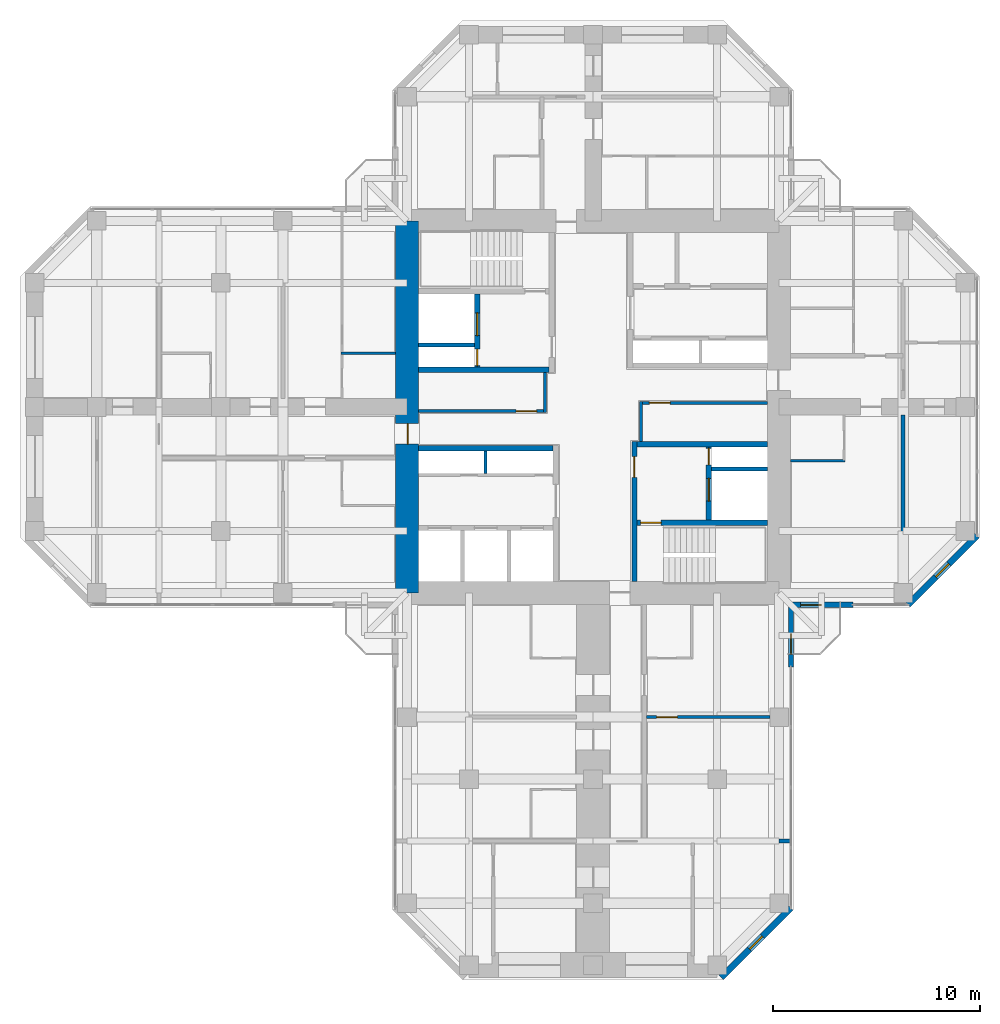
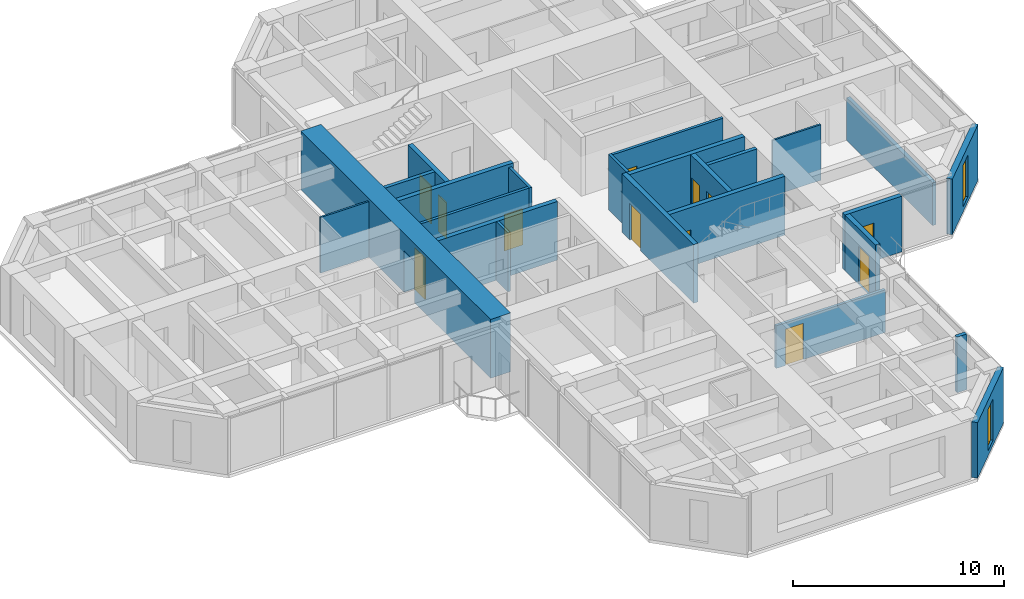
# One storey, part 10 of 14: 24 walls, 12 doors, 2 windows, 14 openings.
"""IFC4 building model written with IfcOpenShell, lengths in metres."""

import ifcopenshell
import ifcopenshell.guid

model = None  # the IFC model being written
_history = None  # IfcOwnerHistory: only IFC2X3 demands one
_inside = {}  # id of a spatial element -> (the spatial element, [elements in it])
_under = {}  # id of a project, library or spatial element -> (it, [spatial elements below it])
_declared = {}  # id of a project -> (the project, [libraries it declares])
_typed = {}  # id of a type object -> (the type object, [elements of that type])
_made_of = {}  # id of a material, layer set ... -> (it, [elements and type objects made of it])


def new_model(schema):
    """Start an empty IFC model of exactly this schema.

    Asked for "IFC4X3", IfcOpenShell would pick the latest addendum, in which some entities
    have other attributes; the version numbers below select the first issue.
    IFC2X3 requires an IfcOwnerHistory on every rooted entity: one is made here for all.
    """
    global model, _history
    if schema == "IFC4X3":
        model = ifcopenshell.file(schema_version=(4, 3, 0, 0))
    else:
        model = ifcopenshell.file(schema=schema)
    _inside.clear()
    _under.clear()
    _declared.clear()
    _typed.clear()
    _made_of.clear()
    _history = None
    if model.schema == "IFC2X3":
        org = make("IfcOrganization", Name="unknown")
        user = make(
            "IfcPersonAndOrganization",
            ThePerson=make("IfcPerson", FamilyName="unknown"),
            TheOrganization=org,
        )
        app = make(
            "IfcApplication",
            ApplicationDeveloper=org,
            Version="unknown",
            ApplicationFullName="unknown",
            ApplicationIdentifier="unknown",
        )
        _history = make(
            "IfcOwnerHistory",
            OwningUser=user,
            OwningApplication=app,
            ChangeAction="ADDED",
            CreationDate=0,
        )
    return model


def make(cls, **values):
    """One entity of the class cls with the attributes given. An attribute that is None is left unset."""
    return model.create_entity(
        cls, **{name: value for name, value in values.items() if value is not None}
    )


def rooted(cls, **values):
    """An entity with a GlobalId (a new one), such as an element, a storey or a relation."""
    return make(cls, GlobalId=ifcopenshell.guid.new(), OwnerHistory=_history, **values)


def si_unit(unit_type, name, prefix=None):
    """IfcSIUnit, for example si_unit("LENGTHUNIT", "METRE", prefix="MILLI")."""
    return make("IfcSIUnit", UnitType=unit_type, Prefix=prefix, Name=name)


def assignment(units):
    """IfcUnitAssignment: the units of a project."""
    return None if units is None else make("IfcUnitAssignment", Units=units)


def point(xyz):
    """IfcCartesianPoint."""
    return None if xyz is None else make("IfcCartesianPoint", Coordinates=xyz)


def direction(xyz):
    """IfcDirection."""
    return None if xyz is None else make("IfcDirection", DirectionRatios=xyz)


def frame(location, z_axis=None, x_axis=None):
    """IfcAxis2Placement3D, a coordinate frame: its origin and axes. An axis left out is left unset."""
    return make(
        "IfcAxis2Placement3D",
        Location=point(location),
        Axis=direction(z_axis),
        RefDirection=direction(x_axis),
    )


def frame_2d(location, x_axis=None):
    """IfcAxis2Placement2D, a coordinate frame in the plane: its origin and x axis."""
    return make(
        "IfcAxis2Placement2D", Location=point(location), RefDirection=direction(x_axis)
    )


def origin():
    """The frame at (0, 0, 0) with its axes left unset."""
    return frame((0.0, 0.0, 0.0))


def place(relative_to, where):
    """IfcLocalPlacement: puts the frame where relative to a parent placement (None: the world)."""
    return make(
        "IfcLocalPlacement", PlacementRelTo=relative_to, RelativePlacement=where
    )


def context(
    kind, dimensions, precision=None, world=None, true_north=None, identifier=None
):
    """IfcGeometricRepresentationContext, for example the 3D "Model" context."""
    return make(
        "IfcGeometricRepresentationContext",
        ContextIdentifier=identifier,
        ContextType=kind,
        CoordinateSpaceDimension=dimensions,
        Precision=precision,
        WorldCoordinateSystem=world,
        TrueNorth=true_north,
    )


def subcontext(parent, identifier, kind, view, scale=None):
    """IfcGeometricRepresentationSubContext, for example "Body" below "Model"."""
    return make(
        "IfcGeometricRepresentationSubContext",
        ContextIdentifier=identifier,
        ContextType=kind,
        ParentContext=parent,
        TargetScale=scale,
        TargetView=view,
    )


def project(units=None, contexts=None):
    """IfcProject with its units and contexts."""
    return rooted(
        "IfcProject",
        Name="project",
        RepresentationContexts=contexts,
        UnitsInContext=assignment(units),
    )


def spatial(cls, under=None, at=None, **own):
    """A site, building, storey or space (cls), placed at a placement, below another one or the project."""
    s = rooted(cls, ObjectPlacement=at, **own)
    if under is not None:
        _under.setdefault(under.id(), (under, []))[1].append(s)
    return s


def profile(cls, at=None, kind="AREA", **sizes):
    """A parametric profile (cls). Its sizes go by their IFC names, for example OverallWidth=200.0."""
    return make(cls, ProfileType=kind, Position=at, **sizes)


def rectangle(**sizes):
    """IfcRectangleProfileDef."""
    return profile("IfcRectangleProfileDef", **sizes)


def hollow_rectangle(**sizes):
    """IfcRectangleHollowProfileDef."""
    return profile("IfcRectangleHollowProfileDef", **sizes)


def extrude(swept, where, along, depth):
    """IfcExtrudedAreaSolid: the profile swept, set in the frame where, extruded along a direction by depth."""
    return make(
        "IfcExtrudedAreaSolid",
        SweptArea=swept,
        Position=where,
        ExtrudedDirection=direction(along),
        Depth=depth,
    )


def shape(context_of_items, identifier, shape_type, items):
    """IfcShapeRepresentation: the items that make up one representation, for example the "Body"."""
    return make(
        "IfcShapeRepresentation",
        ContextOfItems=context_of_items,
        RepresentationIdentifier=identifier,
        RepresentationType=shape_type,
        Items=items,
    )


def material(Name=None, Category=None):
    """IfcMaterial."""
    return make("IfcMaterial", Name=Name, Category=Category)


def layer(
    of_material, thickness, ventilated=None, Name=None, Category=None, Priority=None
):
    """IfcMaterialLayer: one layer of a wall or slab, of a material (None: an air gap)."""
    return make(
        "IfcMaterialLayer",
        Material=of_material,
        LayerThickness=thickness,
        IsVentilated=ventilated,
        Name=Name,
        Category=Category,
        Priority=Priority,
    )


def layer_set(layers, Name=None):
    """IfcMaterialLayerSet."""
    return make("IfcMaterialLayerSet", MaterialLayers=layers, LayerSetName=Name)


def constituent(of_material, Name=None, Category=None, fraction=None):
    """IfcMaterialConstituent: one of the materials an element consists of."""
    return make(
        "IfcMaterialConstituent",
        Name=Name,
        Material=of_material,
        Fraction=fraction,
        Category=Category,
    )


def constituent_set(constituents=None, Name=None):
    """IfcMaterialConstituentSet."""
    return make(
        "IfcMaterialConstituentSet", Name=Name, MaterialConstituents=constituents
    )


def made_of(thing, what):
    """Note that an element or type object is made of a material, layer set ...; save() writes the relation."""
    if what is not None:
        _made_of.setdefault(what.id(), (what, []))[1].append(thing)
    return thing


def type_object(cls, material=None, **own):
    """A type object (cls), such as IfcWallType, which elements share."""
    return made_of(rooted(cls, **own), material)


def element(
    cls,
    number,
    at=None,
    inside=None,
    cuts=None,
    type_object=None,
    material=None,
    context=None,
    identifier="Body",
    shape_type=None,
    held_by="IfcProductDefinitionShape",
    body=None,
    shapes=None,
    **own,
):
    """One element of the class cls, such as IfcWall. Its Tag is "e" and its number.

    at: its placement. inside: the storey or other place that contains it. cuts: it is an
    opening in that element (IfcRelVoidsElement). A single representation is given by context,
    identifier, shape_type and body (its items); several are given by shapes. held_by: the class
    of the entity that holds the representations. save() writes the other relations.
    """
    e = rooted(cls, Tag="e%d" % number, ObjectPlacement=at, **own)
    if body is not None:
        shapes = [shape(context, identifier, shape_type, body)]
    if shapes is not None:
        e.Representation = make(held_by, Representations=shapes)
    if inside is not None:
        _inside.setdefault(inside.id(), (inside, []))[1].append(e)
    if cuts is not None:
        rooted(
            "IfcRelVoidsElement", RelatingBuildingElement=cuts, RelatedOpeningElement=e
        )
    if type_object is not None:
        _typed.setdefault(type_object.id(), (type_object, []))[1].append(e)
    return made_of(e, material)


def fill(opening, filler):
    """IfcRelFillsElement: the door or window that sits in an opening."""
    return rooted(
        "IfcRelFillsElement",
        RelatingOpeningElement=opening,
        RelatedBuildingElement=filler,
    )


def aggregate(whole, parts):
    """IfcRelAggregates: a whole, such as a stair, and the parts it consists of."""
    return rooted("IfcRelAggregates", RelatingObject=whole, RelatedObjects=parts)


def save(model, path):
    """Write the relations noted so far, then the file.

    IfcRelAggregates (storeys below a building ...), IfcRelContainedInSpatialStructure (elements
    in a storey), IfcRelDefinesByType, IfcRelAssociatesMaterial and IfcRelDeclares: one each for
    every whole, place, type object, material and project.
    """
    for whole, parts in _under.values():
        aggregate(whole, parts)
    for where, things in _inside.values():
        rooted(
            "IfcRelContainedInSpatialStructure",
            RelatedElements=things,
            RelatingStructure=where,
        )
    for kind, things in _typed.values():
        rooted("IfcRelDefinesByType", RelatedObjects=things, RelatingType=kind)
    for what, things in _made_of.values():
        rooted("IfcRelAssociatesMaterial", RelatedObjects=things, RelatingMaterial=what)
    for by, libraries in _declared.values():
        rooted("IfcRelDeclares", RelatingContext=by, RelatedDefinitions=libraries)
    model.write(path)


model = new_model("IFC4")

# Units and contexts
model_context = context("Model", 3, precision=1e-05, world=origin(), true_north=direction((0.0, 1.0)))
body_context = subcontext(model_context, "Body", "Model", "MODEL_VIEW")
ifc_project = project(units=[si_unit("LENGTHUNIT", "METRE"), si_unit("AREAUNIT", "SQUARE_METRE"), si_unit("VOLUMEUNIT", "CUBIC_METRE"), si_unit("PLANEANGLEUNIT", "RADIAN"), si_unit("MASSUNIT", "GRAM", prefix="KILO")], contexts=[model_context])

# Site, building, storey
site_placement = place(None, origin())
site = spatial("IfcSite", under=ifc_project, at=site_placement, CompositionType="ELEMENT")
building_placement = place(site_placement, origin())
building = spatial("IfcBuilding", under=site, at=building_placement, Name="Torre Cruceta", CompositionType="ELEMENT")
storey_placement = place(building_placement, frame((0.0, 0.0, 203.5)))
storey = spatial("IfcBuildingStorey", under=building, at=storey_placement, Name="L51", CompositionType="ELEMENT", Elevation=203.5)

# Walls
ifc_material_1 = material(Name="Water-resistant plasterboard on steel studs", Category="steel")
ifc_layer_1 = layer(ifc_material_1, 0.10009765625)
ifc_layer_set_1 = layer_set([ifc_layer_1], Name="Water-resistant plasterboard on steel studs")
wall_type_1 = type_object("IfcWallType", Name="BATHROOM WALL 100", PredefinedType="PARTITIONING", material=ifc_layer_set_1)
for number, where, z_axis, x_axis, name in (
    (1, (9.550048828125, -2.60009765625, 0.0), (0.0, 0.0, 1.0), (1.0, 0.0, 0.0), "PT4 L51-E-U1RBB"),
    (2, (-9.550048828125, 2.60009765625, 0.0), (0.0, 0.0, 1.0), (-1.0, 0.0, 0.0), "PT4 L51-W-U1RBB"),
):
    element("IfcWall", number, at=place(storey_placement, frame(where, z_axis=z_axis, x_axis=x_axis)), inside=storey, type_object=wall_type_1, Name=name, PredefinedType="PARTITIONING", context=body_context, shape_type="SweptSolid", body=[
        extrude(rectangle(XDim=2.64990234375, YDim=0.10009765625, at=frame_2d((1.324951171875, 0.0))), origin(), (0.0, 0.0, 1.0), 3.219970703125),
    ])
ifc_material_2 = material(Name="Concrete G60 (fck 60 MPa)", Category="concrete")
ifc_layer_2 = layer(ifc_material_2, 0.25)
ifc_layer_set_2 = layer_set([ifc_layer_2], Name="Concrete G60 (fck 60 MPa)")
wall_type_2 = type_object("IfcWallType", Name="CORE INNER WALL 250 G60", PredefinedType="SHEAR", material=ifc_layer_set_2)
wall_1_placement = place(storey_placement, frame((-2.125, 1.800048828125, 0.0), z_axis=(0.0, 0.0, 1.0), x_axis=(-1.0, 0.0, 0.0)))
element("IfcWall", 3, at=wall_1_placement, inside=storey, type_object=wall_type_2, Name="CW4 L51 NW-CV", PredefinedType="SHEAR", context=body_context, shape_type="SweptSolid", body=[
    extrude(rectangle(XDim=6.324951171875, YDim=0.25, at=frame_2d((3.16259765625, 0.0))), origin(), (0.0, 0.0, 1.0), 3.39990234375),
])

# Wall, openings, doors
wall_2_placement = place(storey_placement, frame((-5.60009765625, 1.925048828125, 0.0), z_axis=(0.0, 0.0, 1.0), x_axis=(0.0, 1.0, 0.0)))
wall_2 = element("IfcWall", 4, at=wall_2_placement, inside=storey, type_object=wall_type_2, Name="CW4 L51 NW-FU", PredefinedType="SHEAR", context=body_context, shape_type="SweptSolid", body=[
    extrude(rectangle(XDim=3.550048828125, YDim=0.25, at=frame_2d((1.77490234375, 0.0))), origin(), (0.0, 0.0, 1.0), 3.39990234375),
])
opening_1_placement = place(wall_2_placement, frame((1.52490234375, 0.0, 0.0)))
opening_1 = element("IfcOpeningElement", 5, at=opening_1_placement, cuts=wall_2, Name="Opening LD1", PredefinedType="OPENING", context=body_context, shape_type="SweptSolid", body=[
    extrude(rectangle(XDim=1.10009765625, YDim=2.199951171875, at=frame_2d((0.550048828125, 1.10009765625))), frame((0.0, 0.135009765625, 0.0), z_axis=(0.0, -1.0, 0.0), x_axis=(1.0, 0.0, 0.0)), (0.0, 0.0, 1.0), 0.27001953125),
])
opening_2_placement = place(wall_2_placement, frame((0.074951171875, 0.0, 0.0)))
opening_2 = element("IfcOpeningElement", 6, at=opening_2_placement, cuts=wall_2, Name="Opening D5", PredefinedType="OPENING", context=body_context, shape_type="SweptSolid", body=[
    extrude(rectangle(XDim=0.800048828125, YDim=2.10009765625, at=frame_2d((0.39990234375, 1.050048828125))), frame((0.0, 0.135009765625, 0.0), z_axis=(0.0, -1.0, 0.0), x_axis=(1.0, 0.0, 0.0)), (0.0, 0.0, 1.0), 0.27001953125),
])
ifc_material_3 = material(Name="Stainless steel 1.4401", Category="steel")
door_type_1 = type_object("IfcDoorType", Name="LIFT LANDING DOOR 1100X2200", OperationType="DOUBLE_DOOR_SLIDING", PredefinedType="DOOR", material=ifc_material_3)
door_1_placement = place(opening_1_placement, origin())
door_1 = element("IfcDoor", 7, at=door_1_placement, inside=storey, type_object=door_type_1, Name="Lift landing door FL1", OperationType="DOUBLE_DOOR_SLIDING", OverallHeight=2.199951171875, OverallWidth=1.10009765625, PredefinedType="DOOR", context=body_context, shape_type="SweptSolid", body=[
    extrude(rectangle(XDim=1.10009765625, YDim=2.199951171875, at=frame_2d((0.550048828125, 1.10009765625))), frame((0.0, 0.02490234375, 0.0), z_axis=(0.0, -1.0, 0.0), x_axis=(1.0, 0.0, 0.0)), (0.0, 0.0, 1.0), 0.050048828125),
])
fill(opening_1, door_1)
ifc_material_4 = material(Name="Steel DX51D", Category="steel")
ifc_constituent_1 = constituent(ifc_material_4, Name="Leaf and frame")
ifc_material_5 = material(Name="Polyester powder coating", Category="paint")
ifc_constituent_2 = constituent(ifc_material_5, Name="Finish")
ifc_constituent_set_1 = constituent_set(constituents=[ifc_constituent_1, ifc_constituent_2], Name="Steel fire door")
door_type_2 = type_object("IfcDoorType", Name="RISER ACCESS DOOR 800X2100", OperationType="SINGLE_SWING_LEFT", PredefinedType="DOOR", material=ifc_constituent_set_1)
door_2_placement = place(opening_2_placement, origin())
door_2 = element("IfcDoor", 8, at=door_2_placement, inside=storey, type_object=door_type_2, Name="D5 L51 NW-RISER", OperationType="SINGLE_SWING_LEFT", OverallHeight=2.10009765625, OverallWidth=0.800048828125, PredefinedType="DOOR", context=body_context, shape_type="SweptSolid", body=[
    extrude(rectangle(XDim=0.800048828125, YDim=2.10009765625, at=frame_2d((0.39990234375, 1.050048828125))), frame((0.0, 0.02490234375, 0.0), z_axis=(0.0, -1.0, 0.0), x_axis=(1.0, 0.0, 0.0)), (0.0, 0.0, 1.0), 0.050048828125),
])
fill(opening_2, door_2)

# Wall
wall_3_placement = place(storey_placement, frame((-1.925048828125, -2.0, 0.0), z_axis=(0.0, 0.0, 1.0), x_axis=(-1.0, 0.0, 0.0)))
element("IfcWall", 9, at=wall_3_placement, inside=storey, type_object=wall_type_2, Name="CW4 L51 SW-CV", PredefinedType="SHEAR", context=body_context, shape_type="SweptSolid", body=[
    extrude(rectangle(XDim=6.52490234375, YDim=0.25, at=frame_2d((3.262451171875, 0.0))), origin(), (0.0, 0.0, 1.0), 3.39990234375),
])

# Wall, opening, door
wall_4_placement = place(storey_placement, frame((2.0, -1.675048828125, 0.0), z_axis=(0.0, 0.0, 1.0), x_axis=(0.0, -1.0, 0.0)))
wall_4 = element("IfcWall", 10, at=wall_4_placement, inside=storey, type_object=wall_type_2, Name="CW4 L51 SE-CU", PredefinedType="SHEAR", context=body_context, shape_type="SweptSolid", body=[
    extrude(rectangle(XDim=6.77490234375, YDim=0.25, at=frame_2d((3.387451171875, 0.0))), origin(), (0.0, 0.0, 1.0), 3.39990234375),
])
opening_3_placement = place(wall_4_placement, frame((0.72509765625, 0.0, 0.0)))
opening_3 = element("IfcOpeningElement", 11, at=opening_3_placement, cuts=wall_4, Name="Opening D3", PredefinedType="OPENING", context=body_context, shape_type="SweptSolid", body=[
    extrude(rectangle(XDim=1.0, YDim=2.10009765625, at=frame_2d((0.5, 1.050048828125))), frame((0.0, 0.135009765625, 0.0), z_axis=(0.0, -1.0, 0.0), x_axis=(1.0, 0.0, 0.0)), (0.0, 0.0, 1.0), 0.27001953125),
])
ifc_material_6 = material(Name="Steel DX51D", Category="steel")
ifc_constituent_3 = constituent(ifc_material_6, Name="Leaf and frame")
ifc_material_7 = material(Name="Polyester powder coating", Category="paint")
ifc_constituent_4 = constituent(ifc_material_7, Name="Finish")
ifc_constituent_set_2 = constituent_set(constituents=[ifc_constituent_3, ifc_constituent_4], Name="Steel fire door")
door_type_3 = type_object("IfcDoorType", Name="FIRE DOOR 1000X2100", OperationType="SINGLE_SWING_LEFT", PredefinedType="DOOR", material=ifc_constituent_set_2)
door_3_placement = place(opening_3_placement, origin())
door_3 = element("IfcDoor", 12, at=door_3_placement, inside=storey, type_object=door_type_3, Name="D3 L51 SE-LOBBY", OperationType="SINGLE_SWING_LEFT", OverallHeight=2.10009765625, OverallWidth=1.0, PredefinedType="DOOR", context=body_context, shape_type="SweptSolid", body=[
    extrude(rectangle(XDim=1.0, YDim=2.10009765625, at=frame_2d((0.5, 1.050048828125))), frame((0.0, 0.02490234375, 0.0), z_axis=(0.0, -1.0, 0.0), x_axis=(1.0, 0.0, 0.0)), (0.0, 0.0, 1.0), 0.050048828125),
])
fill(opening_3, door_3)

# Wall
wall_5_placement = place(storey_placement, frame((2.125, -1.800048828125, 0.0), z_axis=(0.0, 0.0, 1.0), x_axis=(1.0, 0.0, 0.0)))
element("IfcWall", 13, at=wall_5_placement, inside=storey, type_object=wall_type_2, Name="CW4 L51 SE-CV", PredefinedType="SHEAR", context=body_context, shape_type="SweptSolid", body=[
    extrude(rectangle(XDim=6.324951171875, YDim=0.25, at=frame_2d((3.16259765625, 0.0))), origin(), (0.0, 0.0, 1.0), 3.39990234375),
])

# Wall, opening, door
wall_6_placement = place(storey_placement, frame((2.125, -5.60009765625, 0.0), z_axis=(0.0, 0.0, 1.0), x_axis=(1.0, 0.0, 0.0)))
wall_6 = element("IfcWall", 14, at=wall_6_placement, inside=storey, type_object=wall_type_2, Name="CW4 L51 SE-SV", PredefinedType="SHEAR", context=body_context, shape_type="SweptSolid", body=[
    extrude(rectangle(XDim=6.324951171875, YDim=0.25, at=frame_2d((3.16259765625, 0.0))), origin(), (0.0, 0.0, 1.0), 3.39990234375),
])
opening_4_placement = place(wall_6_placement, frame((0.175048828125, 0.0, 0.0)))
opening_4 = element("IfcOpeningElement", 15, at=opening_4_placement, cuts=wall_6, Name="Opening D3", PredefinedType="OPENING", context=body_context, shape_type="SweptSolid", body=[
    extrude(rectangle(XDim=1.0, YDim=2.10009765625, at=frame_2d((0.5, 1.050048828125))), frame((0.0, 0.135009765625, 0.0), z_axis=(0.0, -1.0, 0.0), x_axis=(1.0, 0.0, 0.0)), (0.0, 0.0, 1.0), 0.27001953125),
])
door_4_placement = place(opening_4_placement, frame((1.0, 0.0, 0.0), z_axis=(0.0, 0.0, 1.0), x_axis=(-1.0, 0.0, 0.0)))
door_4 = element("IfcDoor", 16, at=door_4_placement, inside=storey, type_object=door_type_3, Name="D3 L51 SE-STAIR", OperationType="SINGLE_SWING_RIGHT", OverallHeight=2.10009765625, OverallWidth=1.0, PredefinedType="DOOR", context=body_context, shape_type="SweptSolid", body=[
    extrude(rectangle(XDim=1.0, YDim=2.10009765625, at=frame_2d((0.5, 1.050048828125))), frame((0.0, 0.025146484375, 0.0), z_axis=(0.0, -1.0, 0.0), x_axis=(1.0, 0.0, 0.0)), (0.0, 0.0, 1.0), 0.050048828125),
])
fill(opening_4, door_4)

# Wall, openings, doors
wall_7_placement = place(storey_placement, frame((5.60009765625, -1.925048828125, 0.0), z_axis=(0.0, 0.0, 1.0), x_axis=(0.0, -1.0, 0.0)))
wall_7 = element("IfcWall", 17, at=wall_7_placement, inside=storey, type_object=wall_type_2, Name="CW4 L51 SE-FU", PredefinedType="SHEAR", context=body_context, shape_type="SweptSolid", body=[
    extrude(rectangle(XDim=3.550048828125, YDim=0.25, at=frame_2d((1.77490234375, 0.0))), origin(), (0.0, 0.0, 1.0), 3.39990234375),
])
opening_5_placement = place(wall_7_placement, frame((1.52490234375, 0.0, 0.0)))
opening_5 = element("IfcOpeningElement", 18, at=opening_5_placement, cuts=wall_7, Name="Opening LD1", PredefinedType="OPENING", context=body_context, shape_type="SweptSolid", body=[
    extrude(rectangle(XDim=1.10009765625, YDim=2.199951171875, at=frame_2d((0.550048828125, 1.10009765625))), frame((0.0, 0.135009765625, 0.0), z_axis=(0.0, -1.0, 0.0), x_axis=(1.0, 0.0, 0.0)), (0.0, 0.0, 1.0), 0.27001953125),
])
opening_6_placement = place(wall_7_placement, frame((0.074951171875, 0.0, 0.0)))
opening_6 = element("IfcOpeningElement", 19, at=opening_6_placement, cuts=wall_7, Name="Opening D5", PredefinedType="OPENING", context=body_context, shape_type="SweptSolid", body=[
    extrude(rectangle(XDim=0.800048828125, YDim=2.10009765625, at=frame_2d((0.39990234375, 1.050048828125))), frame((0.0, 0.135009765625, 0.0), z_axis=(0.0, -1.0, 0.0), x_axis=(1.0, 0.0, 0.0)), (0.0, 0.0, 1.0), 0.27001953125),
])
door_5_placement = place(opening_5_placement, origin())
door_5 = element("IfcDoor", 20, at=door_5_placement, inside=storey, type_object=door_type_1, Name="Lift landing door FL2", OperationType="DOUBLE_DOOR_SLIDING", OverallHeight=2.199951171875, OverallWidth=1.10009765625, PredefinedType="DOOR", context=body_context, shape_type="SweptSolid", body=[
    extrude(rectangle(XDim=1.10009765625, YDim=2.199951171875, at=frame_2d((0.550048828125, 1.10009765625))), frame((0.0, 0.02490234375, 0.0), z_axis=(0.0, -1.0, 0.0), x_axis=(1.0, 0.0, 0.0)), (0.0, 0.0, 1.0), 0.050048828125),
])
fill(opening_5, door_5)
door_6_placement = place(opening_6_placement, origin())
door_6 = element("IfcDoor", 21, at=door_6_placement, inside=storey, type_object=door_type_2, Name="D5 L51 SE-RISER", OperationType="SINGLE_SWING_LEFT", OverallHeight=2.10009765625, OverallWidth=0.800048828125, PredefinedType="DOOR", context=body_context, shape_type="SweptSolid", body=[
    extrude(rectangle(XDim=0.800048828125, YDim=2.10009765625, at=frame_2d((0.39990234375, 1.050048828125))), frame((0.0, 0.02490234375, 0.0), z_axis=(0.0, -1.0, 0.0), x_axis=(1.0, 0.0, 0.0)), (0.0, 0.0, 1.0), 0.050048828125),
])
fill(opening_6, door_6)

# Wall, opening, door
ifc_material_8 = material(Name="Concrete G60 (fck 60 MPa)", Category="concrete")
ifc_layer_3 = layer(ifc_material_8, 1.10009765625)
ifc_layer_set_3 = layer_set([ifc_layer_3], Name="Concrete G60 (fck 60 MPa)")
wall_type_3 = type_object("IfcWallType", Name="CORE WALL 1100 G60", PredefinedType="SHEAR", material=ifc_layer_set_3)
wall_8_placement = place(storey_placement, frame((-9.0, 9.0, 0.0), z_axis=(0.0, 0.0, 1.0), x_axis=(0.0, -1.0, 0.0)))
wall_8 = element("IfcWall", 22, at=wall_8_placement, inside=storey, type_object=wall_type_3, Name="CW2 L51 CW-W", PredefinedType="SHEAR", context=body_context, shape_type="SweptSolid", body=[
    extrude(rectangle(XDim=18.0, YDim=1.10009765625, at=frame_2d((9.0, 0.0))), origin(), (0.0, 0.0, 1.0), 3.39990234375),
])
opening_7_placement = place(wall_8_placement, frame((9.800048828125, 0.0, 0.0)))
opening_7 = element("IfcOpeningElement", 23, at=opening_7_placement, cuts=wall_8, Name="Opening D4", PredefinedType="OPENING", context=body_context, shape_type="SweptSolid", body=[
    extrude(rectangle(XDim=1.0, YDim=2.39990234375, at=frame_2d((0.5, 1.199951171875))), frame((0.0, 0.56005859375, 0.0), z_axis=(0.0, -1.0, 0.0), x_axis=(1.0, 0.0, 0.0)), (0.0, 0.0, 1.0), 1.1201171875),
])
ifc_material_9 = material(Name="Steel DX51D", Category="steel")
ifc_constituent_5 = constituent(ifc_material_9, Name="Leaf and frame")
ifc_material_10 = material(Name="Polyester powder coating", Category="paint")
ifc_constituent_6 = constituent(ifc_material_10, Name="Finish")
ifc_constituent_set_3 = constituent_set(constituents=[ifc_constituent_5, ifc_constituent_6], Name="Steel fire door")
door_type_4 = type_object("IfcDoorType", Name="CORE ARM DOOR 1000X2400", OperationType="SINGLE_SWING_RIGHT", PredefinedType="DOOR", material=ifc_constituent_set_3)
door_7_placement = place(opening_7_placement, origin())
door_7 = element("IfcDoor", 24, at=door_7_placement, inside=storey, type_object=door_type_4, Name="D4 L51 CW-W", OperationType="SINGLE_SWING_RIGHT", OverallHeight=2.39990234375, OverallWidth=1.0, PredefinedType="DOOR", context=body_context, shape_type="SweptSolid", body=[
    extrude(rectangle(XDim=1.0, YDim=2.39990234375, at=frame_2d((0.5, 1.199951171875))), frame((0.0, 0.05517578125, 0.0), z_axis=(0.0, -1.0, 0.0), x_axis=(1.0, 0.0, 0.0)), (0.0, 0.0, 1.0), 0.050048828125),
])
fill(opening_7, door_7)

# Wall, opening, window
ifc_material_11 = material(Name="Concrete G30 (fck 30 MPa)", Category="concrete")
ifc_layer_4 = layer(ifc_material_11, 0.300048828125)
ifc_layer_set_4 = layer_set([ifc_layer_4], Name="Concrete G30 (fck 30 MPa)")
wall_type_4 = type_object("IfcWallType", Name="EXPOSED CONCRETE FACADE WALL 300", PredefinedType="SOLIDWALL", material=ifc_layer_set_4)
wall_9_placement = place(storey_placement, frame((15.236083984375, -9.570068359375, 0.0), z_axis=(0.0, 0.0, 1.0), x_axis=(0.707106781187, 0.707106781187, 0.0)))
wall_9 = element("IfcWall", 25, at=wall_9_placement, inside=storey, type_object=wall_type_4, Name="EW1 facade wall L51 E chamfer 01", PredefinedType="SOLIDWALL", context=body_context, shape_type="SweptSolid", body=[
    extrude(rectangle(XDim=4.715087890625, YDim=0.300048828125, at=frame_2d((2.357421875, 0.0))), origin(), (0.0, 0.0, 1.0), 3.219970703125),
])
opening_8_placement = place(wall_9_placement, frame((1.907470703125, 0.0, 0.300048828125)))
opening_8 = element("IfcOpeningElement", 26, at=opening_8_placement, cuts=wall_9, Name="Opening WN5", PredefinedType="OPENING", context=body_context, shape_type="SweptSolid", body=[
    extrude(rectangle(XDim=0.89990234375, YDim=2.39990234375, at=frame_2d((0.449951171875, 1.199951171875))), frame((0.0, 0.159912109375, 0.0), z_axis=(0.0, -1.0, 0.0), x_axis=(1.0, 0.0, 0.0)), (0.0, 0.0, 1.0), 0.320068359375),
])
ifc_material_12 = material(Name="Aluminium window frame", Category="aluminium")
ifc_constituent_7 = constituent(ifc_material_12, Name="Frame")
ifc_material_13 = material(Name="Laminated insulating glass unit, low-iron clear", Category="glass")
ifc_constituent_8 = constituent(ifc_material_13, Name="Glazing")
ifc_constituent_set_4 = constituent_set(constituents=[ifc_constituent_7, ifc_constituent_8], Name="Aluminium window")
window_type = type_object("IfcWindowType", Name="CHAMFER SLOT WINDOW 900X2400", PartitioningType="SINGLE_PANEL", PredefinedType="WINDOW", material=ifc_constituent_set_4)
window_1_placement = place(opening_8_placement, origin())
window_1 = element("IfcWindow", 27, at=window_1_placement, inside=storey, type_object=window_type, Name="WN5 L51 E 1", OverallHeight=2.39990234375, OverallWidth=0.89990234375, PartitioningType="SINGLE_PANEL", PredefinedType="WINDOW", context=body_context, shape_type="SweptSolid", body=[
    extrude(hollow_rectangle(XDim=0.89990234375, YDim=2.39990234375, WallThickness=0.06005859375, at=frame_2d((0.449951171875, 1.199951171875))), frame((0.0, 0.030029296875, 0.0), z_axis=(0.0, -1.0, 0.0), x_axis=(1.0, 0.0, 0.0)), (0.0, 0.0, 1.0), 0.06005859375),
    extrude(rectangle(XDim=0.77880859375, YDim=2.27880859375, at=frame_2d((0.449951171875, 1.199951171875))), frame((0.0, 0.030029296875, 0.0), z_axis=(0.0, -1.0, 0.0), x_axis=(1.0, 0.0, 0.0)), (0.0, 0.0, 1.0), 0.06005859375),
])
fill(opening_8, window_1)

wall_10_placement = place(storey_placement, frame((6.2060546875, -27.60009765625, 0.0), z_axis=(0.0, 0.0, 1.0), x_axis=(0.707106781187, 0.707106781187, 0.0)))
wall_10 = element("IfcWall", 28, at=wall_10_placement, inside=storey, type_object=wall_type_4, Name="EW1 facade wall L51 S chamfer 18", PredefinedType="SOLIDWALL", context=body_context, shape_type="SweptSolid", body=[
    extrude(rectangle(XDim=4.75732421875, YDim=0.300048828125, at=frame_2d((2.378662109375, 0.0))), origin(), (0.0, 0.0, 1.0), 3.219970703125),
])
opening_9_placement = place(wall_10_placement, frame((1.9287109375, 0.0, 0.300048828125)))
opening_9 = element("IfcOpeningElement", 29, at=opening_9_placement, cuts=wall_10, Name="Opening WN5", PredefinedType="OPENING", context=body_context, shape_type="SweptSolid", body=[
    extrude(rectangle(XDim=0.89990234375, YDim=2.39990234375, at=frame_2d((0.449951171875, 1.199951171875))), frame((0.0, 0.159912109375, 0.0), z_axis=(0.0, -1.0, 0.0), x_axis=(1.0, 0.0, 0.0)), (0.0, 0.0, 1.0), 0.320068359375),
])
window_2_placement = place(opening_9_placement, origin())
window_2 = element("IfcWindow", 30, at=window_2_placement, inside=storey, type_object=window_type, Name="WN5 L51 S 1", OverallHeight=2.39990234375, OverallWidth=0.89990234375, PartitioningType="SINGLE_PANEL", PredefinedType="WINDOW", context=body_context, shape_type="SweptSolid", body=[
    extrude(hollow_rectangle(XDim=0.89990234375, YDim=2.39990234375, WallThickness=0.06005859375, at=frame_2d((0.449951171875, 1.199951171875))), frame((0.0, 0.030029296875, 0.0), z_axis=(0.0, -1.0, 0.0), x_axis=(1.0, 0.0, 0.0)), (0.0, 0.0, 1.0), 0.06005859375),
    extrude(rectangle(XDim=0.77880859375, YDim=2.27880859375, at=frame_2d((0.449951171875, 1.199951171875))), frame((0.0, 0.030029296875, 0.0), z_axis=(0.0, -1.0, 0.0), x_axis=(1.0, 0.0, 0.0)), (0.0, 0.0, 1.0), 0.06005859375),
])
fill(opening_9, window_2)

# Walls
ifc_material_14 = material(Name="Concrete G35 (fck 35 MPa)", Category="concrete")
ifc_layer_5 = layer(ifc_material_14, 0.199951171875)
ifc_layer_set_5 = layer_set([ifc_layer_5], Name="Concrete G35 (fck 35 MPa)")
wall_type_5 = type_object("IfcWallType", Name="LIFT SHAFT WALL 200", PredefinedType="PARTITIONING", material=ifc_layer_set_5)
for number, where, z_axis, x_axis, name in (
    (31, (-5.72509765625, 3.0, 0.0), (0.0, 0.0, 1.0), (-1.0, 0.0, 0.0), "SW1 L51 NW-FR"),
    (32, (5.72509765625, -3.0, 0.0), (0.0, 0.0, 1.0), (1.0, 0.0, 0.0), "SW1 L51 SE-FR"),
):
    element("IfcWall", number, at=place(storey_placement, frame(where, z_axis=z_axis, x_axis=x_axis)), inside=storey, type_object=wall_type_5, Name=name, PredefinedType="PARTITIONING", context=body_context, shape_type="SweptSolid", body=[
        extrude(rectangle(XDim=2.724853515625, YDim=0.199951171875, at=frame_2d((1.3623046875, 0.0))), origin(), (0.0, 0.0, 1.0), 3.39990234375),
    ])

# Wall, opening, door
ifc_material_15 = material(Name="Plasterboard on steel studs", Category="steel")
ifc_layer_6 = layer(ifc_material_15, 0.14990234375)
ifc_layer_set_6 = layer_set([ifc_layer_6], Name="Plasterboard on steel studs")
wall_type_6 = type_object("IfcWallType", Name="PARTITION 150", PredefinedType="PARTITIONING", material=ifc_layer_set_6)
wall_11_placement = place(storey_placement, frame((2.324951171875, 0.199951171875, 0.0), z_axis=(0.0, 0.0, 1.0), x_axis=(1.0, 0.0, 0.0)))
wall_11 = element("IfcWall", 33, at=wall_11_placement, inside=storey, type_object=wall_type_6, Name="PT1 L51-CORE-LEGE-S-W1", PredefinedType="PARTITIONING", context=body_context, shape_type="SweptSolid", body=[
    extrude(rectangle(XDim=6.125, YDim=0.14990234375, at=frame_2d((3.0625, 0.0))), origin(), (0.0, 0.0, 1.0), 3.219970703125),
])
opening_10_placement = place(wall_11_placement, frame((0.39990234375, 0.0, 0.0)))
opening_10 = element("IfcOpeningElement", 34, at=opening_10_placement, cuts=wall_11, Name="Opening D3", PredefinedType="OPENING", context=body_context, shape_type="SweptSolid", body=[
    extrude(rectangle(XDim=1.0, YDim=2.10009765625, at=frame_2d((0.5, 1.050048828125))), frame((0.0, 0.0849609375, 0.0), z_axis=(0.0, -1.0, 0.0), x_axis=(1.0, 0.0, 0.0)), (0.0, 0.0, 1.0), 0.169921875),
])
door_8_placement = place(opening_10_placement, frame((1.0, 0.0, 0.0), z_axis=(0.0, 0.0, 1.0), x_axis=(-1.0, 0.0, 0.0)))
door_8 = element("IfcDoor", 35, at=door_8_placement, inside=storey, type_object=door_type_3, Name="D3 L51-CORE-LEGE-S-W1-D1", OperationType="SINGLE_SWING_RIGHT", OverallHeight=2.10009765625, OverallWidth=1.0, PredefinedType="DOOR", context=body_context, shape_type="SweptSolid", body=[
    extrude(rectangle(XDim=1.0, YDim=2.10009765625, at=frame_2d((0.5, 1.050048828125))), frame((0.0, 0.025146484375, 0.0), z_axis=(0.0, -1.0, 0.0), x_axis=(1.0, 0.0, 0.0)), (0.0, 0.0, 1.0), 0.050048828125),
])
fill(opening_10, door_8)

# Wall
wall_12_placement = place(storey_placement, frame((2.324951171875, -1.675048828125, 0.0), z_axis=(0.0, 0.0, 1.0), x_axis=(0.0, 1.0, 0.0)))
element("IfcWall", 36, at=wall_12_placement, inside=storey, type_object=wall_type_6, Name="PT1 L51-CORE-LEGE-S-W2", PredefinedType="PARTITIONING", context=body_context, shape_type="SweptSolid", body=[
    extrude(rectangle(XDim=1.949951171875, YDim=0.14990234375, at=frame_2d((0.97509765625, 0.0))), origin(), (0.0, 0.0, 1.0), 3.219970703125),
])

# Wall, opening, door
wall_13_placement = place(storey_placement, frame((-2.324951171875, -0.199951171875, 0.0), z_axis=(0.0, 0.0, 1.0), x_axis=(-1.0, 0.0, 0.0)))
wall_13 = element("IfcWall", 37, at=wall_13_placement, inside=storey, type_object=wall_type_6, Name="PT1 L51-CORE-LEGW-N-W1", PredefinedType="PARTITIONING", context=body_context, shape_type="SweptSolid", body=[
    extrude(rectangle(XDim=6.125, YDim=0.14990234375, at=frame_2d((3.0625, 0.0))), origin(), (0.0, 0.0, 1.0), 3.219970703125),
])
opening_11_placement = place(wall_13_placement, frame((0.39990234375, 0.0, 0.0)))
opening_11 = element("IfcOpeningElement", 38, at=opening_11_placement, cuts=wall_13, Name="Opening D3", PredefinedType="OPENING", context=body_context, shape_type="SweptSolid", body=[
    extrude(rectangle(XDim=1.0, YDim=2.10009765625, at=frame_2d((0.5, 1.050048828125))), frame((0.0, 0.0849609375, 0.0), z_axis=(0.0, -1.0, 0.0), x_axis=(1.0, 0.0, 0.0)), (0.0, 0.0, 1.0), 0.169921875),
])
door_9_placement = place(opening_11_placement, frame((1.0, 0.0, 0.0), z_axis=(0.0, 0.0, 1.0), x_axis=(-1.0, 0.0, 0.0)))
door_9 = element("IfcDoor", 39, at=door_9_placement, inside=storey, type_object=door_type_3, Name="D3 L51-CORE-LEGW-N-W1-D1", OperationType="SINGLE_SWING_RIGHT", OverallHeight=2.10009765625, OverallWidth=1.0, PredefinedType="DOOR", context=body_context, shape_type="SweptSolid", body=[
    extrude(rectangle(XDim=1.0, YDim=2.10009765625, at=frame_2d((0.5, 1.050048828125))), frame((0.0, 0.025146484375, 0.0), z_axis=(0.0, -1.0, 0.0), x_axis=(1.0, 0.0, 0.0)), (0.0, 0.0, 1.0), 0.050048828125),
])
fill(opening_11, door_9)

# Wall
wall_14_placement = place(storey_placement, frame((-2.324951171875, 1.675048828125, 0.0), z_axis=(0.0, 0.0, 1.0), x_axis=(0.0, -1.0, 0.0)))
element("IfcWall", 40, at=wall_14_placement, inside=storey, type_object=wall_type_6, Name="PT1 L51-CORE-LEGW-N-W2", PredefinedType="PARTITIONING", context=body_context, shape_type="SweptSolid", body=[
    extrude(rectangle(XDim=1.949951171875, YDim=0.14990234375, at=frame_2d((0.97509765625, 0.0))), origin(), (0.0, 0.0, 1.0), 3.219970703125),
])

# Wall, opening, door
wall_15_placement = place(storey_placement, frame((2.574951171875, -15.0, 0.0), z_axis=(0.0, 0.0, 1.0), x_axis=(1.0, 0.0, 0.0)))
wall_15 = element("IfcWall", 41, at=wall_15_placement, inside=storey, type_object=wall_type_6, Name="PT1 L51-S-P1L", PredefinedType="PARTITIONING", context=body_context, shape_type="SweptSolid", body=[
    extrude(rectangle(XDim=5.97509765625, YDim=0.14990234375, at=frame_2d((2.987548828125, 0.0))), origin(), (0.0, 0.0, 1.0), 2.469970703125),
])
opening_12_placement = place(wall_15_placement, frame((0.5, 0.0, 0.0)))
opening_12 = element("IfcOpeningElement", 42, at=opening_12_placement, cuts=wall_15, Name="Opening D3", PredefinedType="OPENING", context=body_context, shape_type="SweptSolid", body=[
    extrude(rectangle(XDim=1.0, YDim=2.10009765625, at=frame_2d((0.5, 1.050048828125))), frame((0.0, 0.0849609375, 0.0), z_axis=(0.0, -1.0, 0.0), x_axis=(1.0, 0.0, 0.0)), (0.0, 0.0, 1.0), 0.169921875),
])
door_10_placement = place(opening_12_placement, origin())
door_10 = element("IfcDoor", 43, at=door_10_placement, inside=storey, type_object=door_type_3, Name="D3 L51-S-P1L-D1", OperationType="SINGLE_SWING_LEFT", OverallHeight=2.10009765625, OverallWidth=1.0, PredefinedType="DOOR", context=body_context, shape_type="SweptSolid", body=[
    extrude(rectangle(XDim=1.0, YDim=2.10009765625, at=frame_2d((0.5, 1.050048828125))), frame((0.0, 0.02490234375, 0.0), z_axis=(0.0, -1.0, 0.0), x_axis=(1.0, 0.0, 0.0)), (0.0, 0.0, 1.0), 0.050048828125),
])
fill(opening_12, door_10)

# Walls
ifc_material_16 = material(Name="Concrete block masonry", Category="masonry")
ifc_layer_7 = layer(ifc_material_16, 0.14990234375)
ifc_layer_set_7 = layer_set([ifc_layer_7], Name="Concrete block masonry")
wall_type_7 = type_object("IfcWallType", Name="RISER WALL 150", PredefinedType="PARTITIONING", material=ifc_layer_set_7)
wall_16_placement = place(storey_placement, frame((-5.199951171875, -2.125, 0.0), z_axis=(0.0, 0.0, 1.0), x_axis=(0.0, -1.0, 0.0)))
element("IfcWall", 44, at=wall_16_placement, inside=storey, type_object=wall_type_7, Name="SW7 L51 SW-RU", PredefinedType="PARTITIONING", context=body_context, shape_type="SweptSolid", body=[
    extrude(rectangle(XDim=1.10009765625, YDim=0.14990234375, at=frame_2d((0.550048828125, 0.0))), origin(), (0.0, 0.0, 1.0), 3.39990234375),
])
ifc_material_17 = material(Name="Concrete G25 (fck 25 MPa)", Category="concrete")
ifc_layer_8 = layer(ifc_material_17, 0.199951171875)
ifc_layer_set_8 = layer_set([ifc_layer_8], Name="Concrete G25 (fck 25 MPa)")
wall_type_8 = type_object("IfcWallType", Name="UNIT SEPARATING WALL 200", PredefinedType="SOLIDWALL", material=ifc_layer_set_8)
wall_17_placement = place(storey_placement, frame((15.0, -8.550048828125, 0.0), z_axis=(0.0, 0.0, 1.0), x_axis=(0.0, 1.0, 0.0)))
element("IfcWall", 45, at=wall_17_placement, inside=storey, type_object=wall_type_8, Name="PT2 L51-E-ENDa", PredefinedType="SOLIDWALL", context=body_context, shape_type="SweptSolid", body=[
    extrude(rectangle(XDim=8.150146484375, YDim=0.199951171875, at=frame_2d((4.0751953125, 0.0))), origin(), (0.0, 0.0, 1.0), 2.469970703125),
])
wall_18_placement = place(storey_placement, frame((9.0, -21.0, 0.0), z_axis=(0.0, 0.0, 1.0), x_axis=(1.0, 0.0, 0.0)))
element("IfcWall", 46, at=wall_18_placement, inside=storey, type_object=wall_type_8, Name="PT2 L51-S-ENDb 2", PredefinedType="SOLIDWALL", context=body_context, shape_type="SweptSolid", body=[
    extrude(rectangle(XDim=0.530029296875, YDim=0.199951171875, at=frame_2d((0.26513671875, 0.0))), origin(), (0.0, 0.0, 1.0), 3.219970703125),
])

# Wall, opening, door
ifc_material_18 = material(Name="Concrete G30 (fck 30 MPa)", Category="concrete")
ifc_layer_9 = layer(ifc_material_18, 0.25)
ifc_layer_set_9 = layer_set([ifc_layer_9], Name="Concrete G30 (fck 30 MPa)")
wall_type_9 = type_object("IfcWallType", Name="WINTER GARDEN WALL 250", PredefinedType="SOLIDWALL", material=ifc_layer_set_9)
wall_19_placement = place(storey_placement, frame((9.445068359375, -9.570068359375, 0.0), z_axis=(0.0, 0.0, 1.0), x_axis=(1.0, 0.0, 0.0)))
wall_19 = element("IfcWall", 47, at=wall_19_placement, inside=storey, type_object=wall_type_9, Name="EW2 winter garden wall L51 00", PredefinedType="SOLIDWALL", context=body_context, shape_type="SweptSolid", body=[
    extrude(rectangle(XDim=3.125, YDim=0.25, at=frame_2d((1.5625, 0.0))), origin(), (0.0, 0.0, 1.0), 3.219970703125),
])
opening_13_placement = place(wall_19_placement, frame((0.60009765625, 0.0, 0.0)))
opening_13 = element("IfcOpeningElement", 48, at=opening_13_placement, cuts=wall_19, Name="Opening D10", PredefinedType="OPENING", context=body_context, shape_type="SweptSolid", body=[
    extrude(rectangle(XDim=1.0, YDim=2.199951171875, at=frame_2d((0.5, 1.10009765625))), frame((0.0, 0.135009765625, 0.0), z_axis=(0.0, -1.0, 0.0), x_axis=(1.0, 0.0, 0.0)), (0.0, 0.0, 1.0), 0.27001953125),
])
ifc_material_19 = material(Name="Aluminium door frame", Category="aluminium")
ifc_constituent_9 = constituent(ifc_material_19, Name="Frame")
ifc_material_20 = material(Name="Laminated safety glass", Category="glass")
ifc_constituent_10 = constituent(ifc_material_20, Name="Glazing")
ifc_constituent_set_5 = constituent_set(constituents=[ifc_constituent_9, ifc_constituent_10], Name="Aluminium glazed door")
door_type_5 = type_object("IfcDoorType", Name="BALCONY DOOR 1000X2200", OperationType="SINGLE_SWING_RIGHT", PredefinedType="DOOR", material=ifc_constituent_set_5)
door_11_placement = place(opening_13_placement, origin())
door_11 = element("IfcDoor", 49, at=door_11_placement, inside=storey, type_object=door_type_5, Name="D10 balcony door L51 00", OperationType="SINGLE_SWING_LEFT", OverallHeight=2.199951171875, OverallWidth=1.0, PredefinedType="DOOR", context=body_context, shape_type="SweptSolid", body=[
    extrude(hollow_rectangle(XDim=1.0, YDim=2.199951171875, WallThickness=0.06005859375, at=frame_2d((0.5, 1.10009765625))), frame((0.0, 0.02490234375, 0.0), z_axis=(0.0, -1.0, 0.0), x_axis=(1.0, 0.0, 0.0)), (0.0, 0.0, 1.0), 0.050048828125),
    extrude(rectangle(XDim=0.87890625, YDim=2.078857421875, at=frame_2d((0.5, 1.10009765625))), frame((0.0, 0.02490234375, 0.0), z_axis=(0.0, -1.0, 0.0), x_axis=(1.0, 0.0, 0.0)), (0.0, 0.0, 1.0), 0.050048828125),
])
fill(opening_13, door_11)

wall_20_placement = place(storey_placement, frame((9.570068359375, -12.570068359375, 0.0), z_axis=(0.0, 0.0, 1.0), x_axis=(0.0, 1.0, 0.0)))
wall_20 = element("IfcWall", 50, at=wall_20_placement, inside=storey, type_object=wall_type_9, Name="EW2 winter garden wall L51 19", PredefinedType="SOLIDWALL", context=body_context, shape_type="SweptSolid", body=[
    extrude(rectangle(XDim=2.875, YDim=0.25, at=frame_2d((1.4375, 0.0))), origin(), (0.0, 0.0, 1.0), 3.219970703125),
])
opening_14_placement = place(wall_20_placement, frame((0.60009765625, 0.0, 0.0)))
opening_14 = element("IfcOpeningElement", 51, at=opening_14_placement, cuts=wall_20, Name="Opening D10", PredefinedType="OPENING", context=body_context, shape_type="SweptSolid", body=[
    extrude(rectangle(XDim=1.0, YDim=2.199951171875, at=frame_2d((0.5, 1.10009765625))), frame((0.0, 0.135009765625, 0.0), z_axis=(0.0, -1.0, 0.0), x_axis=(1.0, 0.0, 0.0)), (0.0, 0.0, 1.0), 0.27001953125),
])
door_12_placement = place(opening_14_placement, origin())
door_12 = element("IfcDoor", 52, at=door_12_placement, inside=storey, type_object=door_type_5, Name="D10 balcony door L51 19", OperationType="SINGLE_SWING_RIGHT", OverallHeight=2.199951171875, OverallWidth=1.0, PredefinedType="DOOR", context=body_context, shape_type="SweptSolid", body=[
    extrude(hollow_rectangle(XDim=1.0, YDim=2.199951171875, WallThickness=0.06005859375, at=frame_2d((0.5, 1.10009765625))), frame((0.0, 0.02490234375, 0.0), z_axis=(0.0, -1.0, 0.0), x_axis=(1.0, 0.0, 0.0)), (0.0, 0.0, 1.0), 0.050048828125),
    extrude(rectangle(XDim=0.87890625, YDim=2.078857421875, at=frame_2d((0.5, 1.10009765625))), frame((0.0, 0.02490234375, 0.0), z_axis=(0.0, -1.0, 0.0), x_axis=(1.0, 0.0, 0.0)), (0.0, 0.0, 1.0), 0.050048828125),
])
fill(opening_14, door_12)

save(model, "model.ifc")
